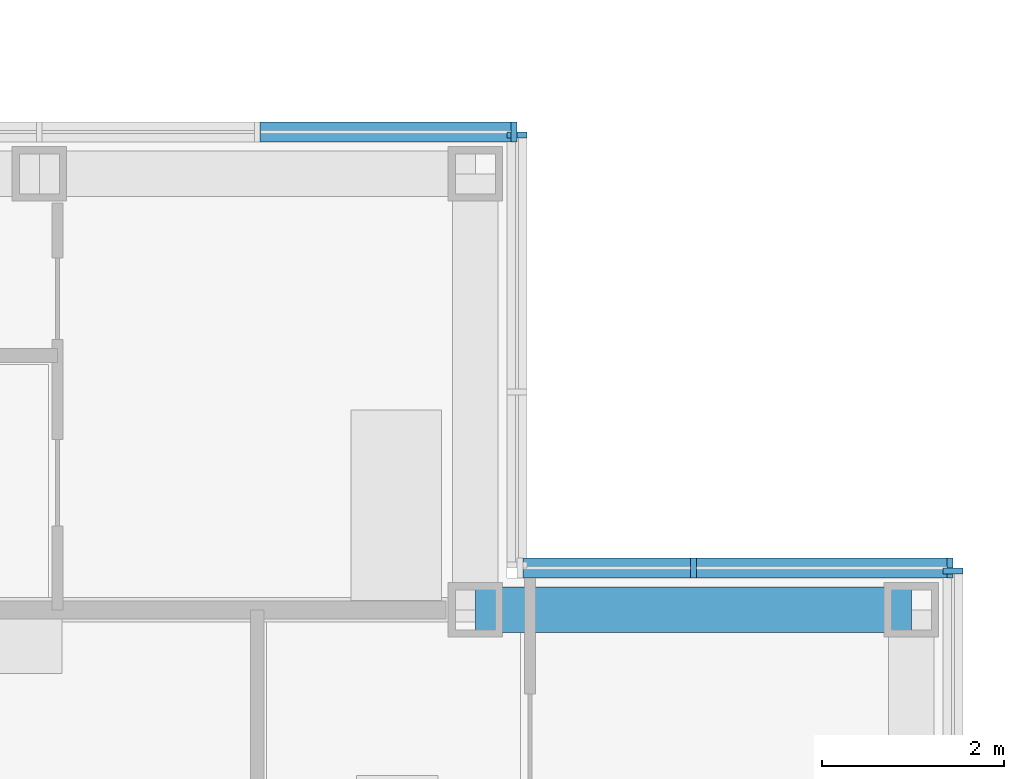
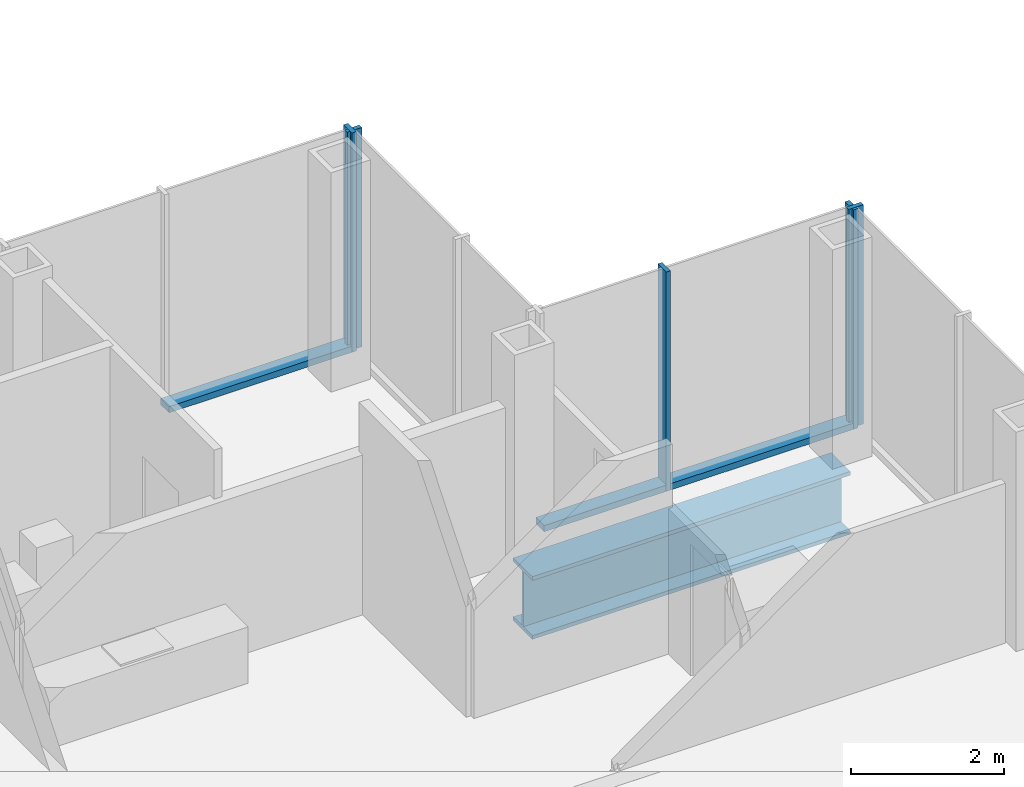
# One storey, part 9 of 20: 8 members, 1 beam, 4 elements without a shape of their own.
"""IFC4 building model written with IfcOpenShell, lengths in metres."""

from ifc_helpers import new_model, si_unit, direction, frame, origin, origin_2d, place, context, subcontext, project, spatial, rectangle, i_section, extrude, material, material_profile, profile_set, type_object, element, aggregate, save


model = new_model("IFC4")

# Units and contexts
model_context = context("Model", 3, precision=1e-05, world=origin(), true_north=direction((0.0, 1.0)))
body_context = subcontext(model_context, "Body", "Model", "MODEL_VIEW")
ifc_project = project(units=[si_unit("LENGTHUNIT", "METRE"), si_unit("AREAUNIT", "SQUARE_METRE"), si_unit("VOLUMEUNIT", "CUBIC_METRE"), si_unit("PLANEANGLEUNIT", "RADIAN"), si_unit("MASSUNIT", "GRAM", prefix="KILO")], contexts=[model_context])

# Site, building, storey
site_placement = place(None, origin())
site = spatial("IfcSite", under=ifc_project, at=site_placement, CompositionType="ELEMENT")
building_placement = place(site_placement, origin())
building = spatial("IfcBuilding", under=site, at=building_placement, Name="Kvirike Care Tower", CompositionType="ELEMENT")
storey_placement = place(building_placement, frame((0.0, 0.0, 119.0)))
storey = spatial("IfcBuildingStorey", under=building, at=storey_placement, Name="L32", CompositionType="ELEMENT", Elevation=119.0)

# Curtain wall, member
ifc_material_1 = material(Name="Anodised aluminium stick system", Category="aluminium")
curtain_wall_type = type_object("IfcCurtainWallType", Name="CW-B STICK CURTAIN WALL", PredefinedType="NOTDEFINED", material=ifc_material_1)
curtain_wall_1_placement = place(storey_placement, origin())
curtain_wall_1 = element("IfcCurtainWall", 1, at=curtain_wall_1_placement, inside=storey, type_object=curtain_wall_type, Name="Curtain wall L32 face 1", PredefinedType="NOTDEFINED")
ifc_material_2 = material(Name="Bronze anodised aluminium mullion", Category="aluminium")
ifc_material_profile_1 = material_profile(ifc_material_2, rectangle(XDim=0.06494140625, YDim=0.219970703125, at=origin_2d()), Name="CW-B MULLION 65x220")
ifc_profile_set_1 = profile_set([ifc_material_profile_1], Name="Bronze anodised aluminium mullion")
member_type_1 = type_object("IfcMemberType", Name="CW-B MULLION 65x220", PredefinedType="MULLION", material=ifc_profile_set_1)
member_1_placement = place(storey_placement, frame((43.659912109375, 38.827392578125, 0.0), z_axis=(0.0, 0.0, 1.0), x_axis=(0.0, 1.0, 0.0)))
member_1 = element("IfcMember", 2, at=member_1_placement, type_object=member_type_1, Name="CW-B mullion L32 face 1.9", PredefinedType="MULLION", context=body_context, shape_type="SweptSolid", body=[
    extrude(rectangle(XDim=0.06494140625, YDim=0.219970703125, at=origin_2d()), origin(), (0.0, 0.0, 1.0), 3.5),
])
aggregate(curtain_wall_1, [member_1])

# Curtain wall, members
curtain_wall_2_placement = place(storey_placement, origin())
curtain_wall_2 = element("IfcCurtainWall", 3, at=curtain_wall_2_placement, inside=storey, type_object=curtain_wall_type, Name="Curtain wall L32 face 2", PredefinedType="NOTDEFINED")
member_2_placement = place(storey_placement, frame((43.62744140625, 38.860107421875, 0.0), z_axis=(0.0, 0.0, 1.0), x_axis=(-1.0, 0.0, 0.0)))
member_2 = element("IfcMember", 4, at=member_2_placement, type_object=member_type_1, Name="CW-B mullion L32 face 2.1", PredefinedType="MULLION", context=body_context, shape_type="SweptSolid", body=[
    extrude(rectangle(XDim=0.06494140625, YDim=0.219970703125, at=origin_2d()), origin(), (0.0, 0.0, 1.0), 3.5),
])
member_3_placement = place(storey_placement, frame((40.800048828125, 38.860107421875, 0.0), z_axis=(0.0, 0.0, 1.0), x_axis=(-1.0, 0.0, 0.0)))
member_3 = element("IfcMember", 5, at=member_3_placement, type_object=member_type_1, Name="CW-B mullion L32 face 2.2", PredefinedType="MULLION", context=body_context, shape_type="SweptSolid", body=[
    extrude(rectangle(XDim=0.06494140625, YDim=0.219970703125, at=origin_2d()), origin(), (0.0, 0.0, 1.0), 3.5),
])

# Curtain wall, member
curtain_wall_3_placement = place(storey_placement, origin())
curtain_wall_3 = element("IfcCurtainWall", 6, at=curtain_wall_3_placement, inside=storey, type_object=curtain_wall_type, Name="Curtain wall L32 face 3", PredefinedType="NOTDEFINED")
member_4_placement = place(storey_placement, frame((38.860107421875, 43.62744140625, 0.0), z_axis=(0.0, 0.0, 1.0), x_axis=(0.0, 1.0, 0.0)))
member_4 = element("IfcMember", 7, at=member_4_placement, type_object=member_type_1, Name="CW-B mullion L32 face 3.3", PredefinedType="MULLION", context=body_context, shape_type="SweptSolid", body=[
    extrude(rectangle(XDim=0.06494140625, YDim=0.219970703125, at=origin_2d()), origin(), (0.0, 0.0, 1.0), 3.5),
])
aggregate(curtain_wall_3, [member_4])

curtain_wall_4_placement = place(storey_placement, origin())
curtain_wall_4 = element("IfcCurtainWall", 8, at=curtain_wall_4_placement, inside=storey, type_object=curtain_wall_type, Name="Curtain wall L32 face 4", PredefinedType="NOTDEFINED")
member_5_placement = place(storey_placement, frame((38.827392578125, 43.659912109375, 0.0), z_axis=(0.0, 0.0, 1.0), x_axis=(-1.0, 0.0, 0.0)))
member_5 = element("IfcMember", 9, at=member_5_placement, type_object=member_type_1, Name="CW-B mullion L32 face 4.1", PredefinedType="MULLION", context=body_context, shape_type="SweptSolid", body=[
    extrude(rectangle(XDim=0.06494140625, YDim=0.219970703125, at=origin_2d()), origin(), (0.0, 0.0, 1.0), 3.5),
])

# Member
ifc_material_3 = material(Name="Bronze anodised aluminium transom", Category="aluminium")
ifc_material_profile_2 = material_profile(ifc_material_3, rectangle(XDim=0.219970703125, YDim=0.10009765625, at=origin_2d()), Name="CW-B TRANSOM 220x100")
ifc_profile_set_2 = profile_set([ifc_material_profile_2], Name="Bronze anodised aluminium transom")
member_type_2 = type_object("IfcMemberType", Name="CW-B TRANSOM 220x100", PredefinedType="USERDEFINED", material=ifc_profile_set_2)
member_6_placement = place(storey_placement, frame((43.594970703125, 38.860107421875, 0.050048828125), z_axis=(-1.0, 0.0, 0.0), x_axis=(0.0, -1.0, 0.0)))
member_6 = element("IfcMember", 10, at=member_6_placement, type_object=member_type_2, Name="CW-B sill transom L32 face 2.1", ObjectType="TRANSOM", PredefinedType="USERDEFINED", context=body_context, shape_type="SweptSolid", body=[
    extrude(rectangle(XDim=0.219970703125, YDim=0.10009765625, at=origin_2d()), origin(), (0.0, 0.0, 1.0), 2.762451171875),
])

member_7_placement = place(storey_placement, frame((40.767578125, 38.860107421875, 0.050048828125), z_axis=(-1.0, 0.0, 0.0), x_axis=(0.0, -1.0, 0.0)))
member_7 = element("IfcMember", 11, at=member_7_placement, type_object=member_type_2, Name="CW-B sill transom L32 face 2.2", ObjectType="TRANSOM", PredefinedType="USERDEFINED", context=body_context, shape_type="SweptSolid", body=[
    extrude(rectangle(XDim=0.219970703125, YDim=0.10009765625, at=origin_2d()), origin(), (0.0, 0.0, 1.0), 1.842529296875),
])

aggregate(curtain_wall_2, [member_2, member_3, member_6, member_7])

member_8_placement = place(storey_placement, frame((38.794921875, 43.659912109375, 0.050048828125), z_axis=(-1.0, 0.0, 0.0), x_axis=(0.0, -1.0, 0.0)))
member_8 = element("IfcMember", 12, at=member_8_placement, type_object=member_type_2, Name="CW-B sill transom L32 face 4.1", ObjectType="TRANSOM", PredefinedType="USERDEFINED", context=body_context, shape_type="SweptSolid", body=[
    extrude(rectangle(XDim=0.219970703125, YDim=0.10009765625, at=origin_2d()), origin(), (0.0, 0.0, 1.0), 2.762451171875),
])

aggregate(curtain_wall_4, [member_5, member_8])

# Beam
ifc_material_4 = material(Name="Steel S355", Category="steel")
ifc_material_profile_3 = material_profile(ifc_material_4, i_section(OverallWidth=0.5, OverallDepth=1.0, WebThickness=0.030029296875, FlangeThickness=0.06005859375, at=origin_2d()), Name="PG 1000x500x30x60")
ifc_profile_set_3 = profile_set([ifc_material_profile_3], Name="Steel S355")
beam_type = type_object("IfcBeamType", Name="SPANDREL PG 1000x500x30x60", PredefinedType="SPANDREL", material=ifc_profile_set_3)
beam_placement = place(storey_placement, frame((38.39990234375, 38.39990234375, -0.669921875), z_axis=(1.0, 0.0, 0.0), x_axis=(0.0, 1.0, 0.0)))
element("IfcBeam", 13, at=beam_placement, inside=storey, type_object=beam_type, Name="Spandrel J11-J12 L32", PredefinedType="SPANDREL", context=body_context, shape_type="SweptSolid", body=[
    extrude(i_section(OverallWidth=0.5, OverallDepth=1.0, WebThickness=0.030029296875, FlangeThickness=0.06005859375, at=origin_2d()), origin(), (0.0, 0.0, 1.0), 4.800048828125),
])

save(model, "model.ifc")
